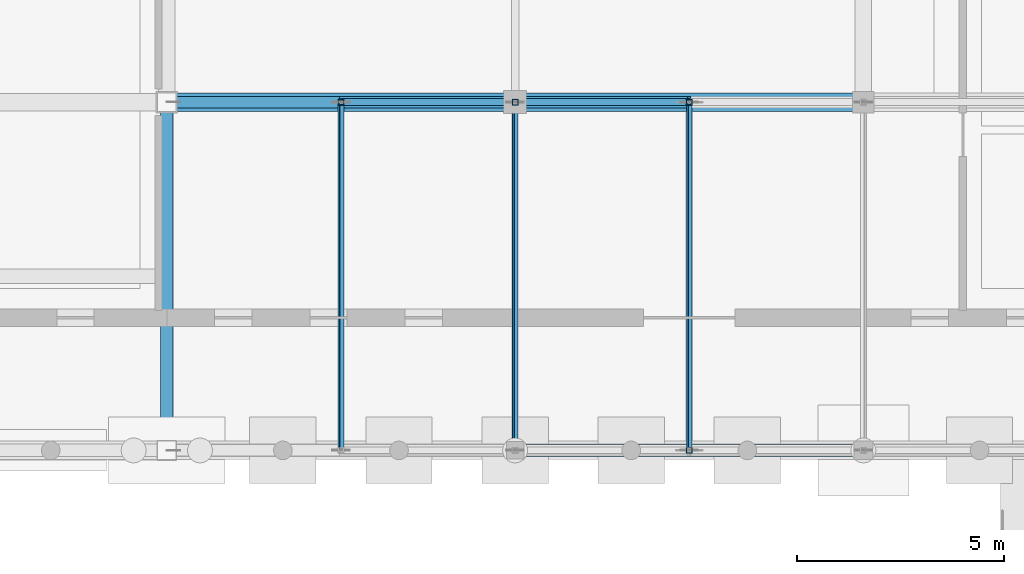
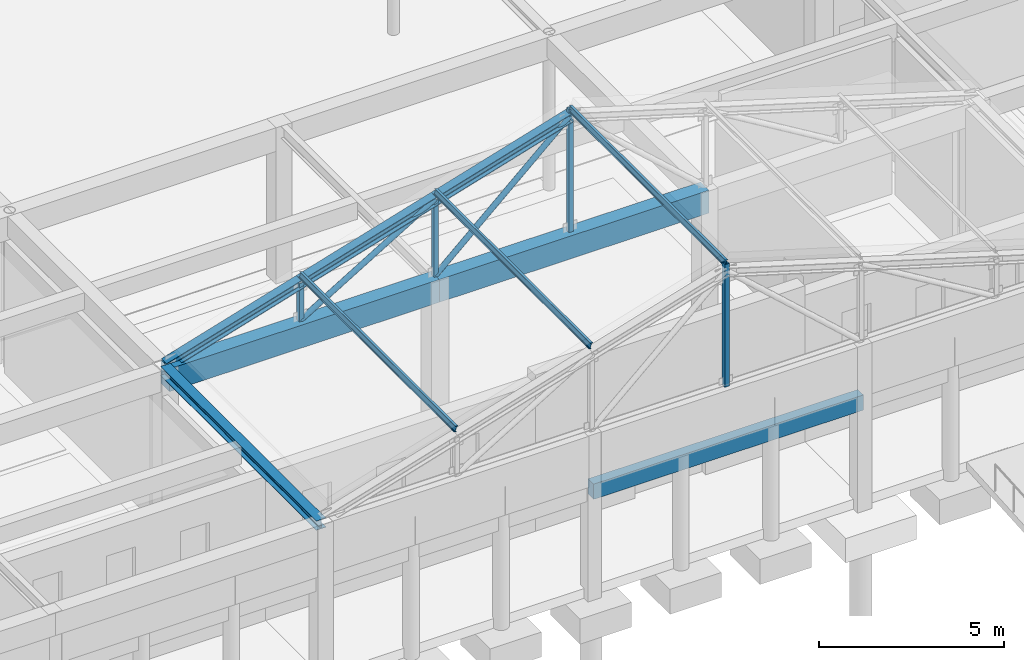
# One storey, part 24 of 143: 12 members, 4 beams.
"""IFC4 building model written with IfcOpenShell, lengths in metres."""

from ifc_helpers import new_model, si_unit, direction, frame, origin, origin_2d, place, context, subcontext, project, spatial, rectangle, hollow_rectangle, hollow_circle, i_section, extrude, material, material_profile, profile_set, type_object, element, save


model = new_model("IFC4")

# Units and contexts
model_context = context("Model", 3, precision=1e-05, world=origin(), true_north=direction((0.0, 1.0)))
body_context = subcontext(model_context, "Body", "Model", "MODEL_VIEW")
ifc_project = project(units=[si_unit("LENGTHUNIT", "METRE"), si_unit("AREAUNIT", "SQUARE_METRE"), si_unit("VOLUMEUNIT", "CUBIC_METRE"), si_unit("PLANEANGLEUNIT", "RADIAN"), si_unit("MASSUNIT", "GRAM", prefix="KILO")], contexts=[model_context])

# Site, building, storey
site_placement = place(None, origin())
site = spatial("IfcSite", under=ifc_project, at=site_placement, CompositionType="ELEMENT")
building_placement = place(site_placement, origin())
building = spatial("IfcBuilding", under=site, at=building_placement, Name="Kveldsbrygga Polytechnic", CompositionType="ELEMENT")
storey_placement = place(building_placement, origin())
storey = spatial("IfcBuildingStorey", under=building, at=storey_placement, Name="L00", CompositionType="ELEMENT", Elevation=0.0)

# Beams
ifc_material_1 = material(Name="Concrete C35/45", Category="concrete")
ifc_material_profile_1 = material_profile(ifc_material_1, rectangle(XDim=0.449951171875, YDim=0.75, at=origin_2d()), Name="RC 450x750")
ifc_profile_set_1 = profile_set([ifc_material_profile_1], Name="Concrete C35/45")
beam_type_1 = type_object("IfcBeamType", Name="BM-RC-450x750", PredefinedType="BEAM", material=ifc_profile_set_1)
beam_1_placement = place(storey_placement, frame((50.39990234375, 8.39990234375, 4.764892578125), z_axis=(1.0, 0.0, 0.0), x_axis=(0.0, 1.0, 0.0)))
element("IfcBeam", 1, at=beam_1_placement, inside=storey, type_object=beam_type_1, Name="Primary Beam BMX-L00-06to07-01", PredefinedType="BEAM", context=body_context, shape_type="SweptSolid", body=[
    extrude(rectangle(XDim=0.449951171875, YDim=0.75, at=origin_2d()), origin(), (0.0, 0.0, 1.0), 8.400146484375),
])
beam_2_placement = place(storey_placement, frame((58.800048828125, 8.39990234375, 4.764892578125), z_axis=(1.0, 0.0, 0.0), x_axis=(0.0, 1.0, 0.0)))
element("IfcBeam", 2, at=beam_2_placement, inside=storey, type_object=beam_type_1, Name="Primary Beam BMX-L00-07to08-01", PredefinedType="BEAM", context=body_context, shape_type="SweptSolid", body=[
    extrude(rectangle(XDim=0.449951171875, YDim=0.75, at=origin_2d()), origin(), (0.0, 0.0, 1.0), 8.39990234375),
])
ifc_material_2 = material(Name="Steel S355", Category="steel")
ifc_material_profile_2 = material_profile(ifc_material_2, i_section(OverallWidth=0.300048828125, OverallDepth=0.31005859375, WebThickness=0.009033203125, FlangeThickness=0.015380859375, FilletRadius=0.027099609375, at=origin_2d()), Name="HEA 320")
ifc_profile_set_2 = profile_set([ifc_material_profile_2], Name="Steel S355")
beam_type_2 = type_object("IfcBeamType", Name="BM-STL-HEA320", PredefinedType="BEAM", material=ifc_profile_set_2)
beam_3_placement = place(storey_placement, frame((50.39990234375, 0.0, 4.985107421875), z_axis=(0.0, 1.0, 0.0), x_axis=(-1.0, 0.0, 0.0)))
element("IfcBeam", 3, at=beam_3_placement, inside=storey, type_object=beam_type_2, Name="Primary Beam BMY-L00-06-00to01", PredefinedType="BEAM", context=body_context, shape_type="SweptSolid", body=[
    extrude(i_section(OverallWidth=0.300048828125, OverallDepth=0.31005859375, WebThickness=0.009033203125, FlangeThickness=0.015380859375, FilletRadius=0.027099609375, at=origin_2d()), origin(), (0.0, 0.0, 1.0), 8.39990234375),
])

# Members
ifc_material_profile_3 = material_profile(ifc_material_2, hollow_circle(Radius=0.084228515625, WallThickness=0.010009765625, at=origin_2d()), Name="CHS 168.3x10.0")
ifc_profile_set_3 = profile_set([ifc_material_profile_3], Name="Steel S355")
member_type_1 = type_object("IfcMemberType", Name="BR-WIND-CHS168", PredefinedType="BRACE", material=ifc_profile_set_3)
member_1_placement = place(storey_placement, frame((54.60009765625, 8.39990234375, 5.139892578125), z_axis=(0.856278379486, 0.0, 0.516514604658), x_axis=(0.0, 1.0, 0.0)))
element("IfcMember", 4, at=member_1_placement, inside=storey, type_object=member_type_1, Name="Truss Diagonal V5P-T02-DG-2", PredefinedType="BRACE", context=body_context, shape_type="SweptSolid", body=[
    extrude(hollow_circle(Radius=0.084228515625, WallThickness=0.010009765625, at=origin_2d()), origin(), (0.0, 0.0, 1.0), 4.90478515625),
])
member_2_placement = place(storey_placement, frame((58.800048828125, 8.39990234375, 5.139892578125), z_axis=(0.741527609628, 0.0, 0.670922353302), x_axis=(0.0, 1.0, 0.0)))
element("IfcMember", 5, at=member_2_placement, inside=storey, type_object=member_type_1, Name="Truss Diagonal V5P-T02-DG-3", PredefinedType="BRACE", context=body_context, shape_type="SweptSolid", body=[
    extrude(hollow_circle(Radius=0.084228515625, WallThickness=0.010009765625, at=origin_2d()), origin(), (0.0, 0.0, 1.0), 5.663818359375),
])

# Beam
ifc_material_profile_4 = material_profile(ifc_material_1, rectangle(XDim=0.300048828125, YDim=0.5, at=origin_2d()), Name="RC 300x500")
ifc_profile_set_4 = profile_set([ifc_material_profile_4], Name="Concrete C35/45")
beam_type_3 = type_object("IfcBeamType", Name="LNT-RC-300x500", PredefinedType="LINTEL", material=ifc_profile_set_4)
beam_4_placement = place(storey_placement, frame((58.800048828125, 0.0, 3.199951171875), z_axis=(1.0, 0.0, 0.0), x_axis=(0.0, 1.0, 0.0)))
element("IfcBeam", 6, at=beam_4_placement, inside=storey, type_object=beam_type_3, Name="Harbour Colonnade Arch Lintel Beam BM-PROM-HDR-07", PredefinedType="LINTEL", context=body_context, shape_type="SweptSolid", body=[
    extrude(rectangle(XDim=0.300048828125, YDim=0.5, at=origin_2d()), origin(), (0.0, 0.0, 1.0), 8.39990234375),
])

# Members
ifc_material_profile_5 = material_profile(ifc_material_2, i_section(OverallWidth=0.091064453125, OverallDepth=0.179931640625, WebThickness=0.00537109375, FlangeThickness=0.008056640625, FilletRadius=0.009033203125, at=origin_2d()), Name="IPE 180")
ifc_profile_set_5 = profile_set([ifc_material_profile_5], Name="Steel S355")
member_type_2 = type_object("IfcMemberType", Name="PRL-IPE180", PredefinedType="PURLIN", material=ifc_profile_set_5)
for number, where, z_axis, x_axis, name in (
    (7, (54.60009765625, 0.0, 6.64697265625), (0.0, 1.0, 0.0), (-0.957407228669, 0.0, 0.288741057857), "Roof Purlin V5P-PRL-1-1"),
    (8, (58.800048828125, 0.0, 7.91357421875), (0.0, 1.0, 0.0), (-0.957407228669, 0.0, 0.288741057857), "Roof Purlin V5P-PRL-1-2"),
    (9, (63.0, 0.0, 9.18017578125), (0.0, 1.0, 0.0), (-0.957407228669, 0.0, 0.288741057857), "Roof Purlin V5P-PRL-1-3"),
):
    element("IfcMember", number, at=place(storey_placement, frame(where, z_axis=z_axis, x_axis=x_axis)), inside=storey, type_object=member_type_2, Name=name, PredefinedType="PURLIN", context=body_context, shape_type="SweptSolid", body=[
        extrude(i_section(OverallWidth=0.091064453125, OverallDepth=0.179931640625, WebThickness=0.00537109375, FlangeThickness=0.008056640625, FilletRadius=0.009033203125, at=origin_2d()), origin(), (0.0, 0.0, 1.0), 8.39990234375),
    ])
ifc_material_profile_6 = material_profile(ifc_material_2, hollow_rectangle(XDim=0.139892578125, YDim=0.139892578125, WallThickness=0.008056640625, at=origin_2d()), Name="SHS 140x140x8.0")
ifc_profile_set_6 = profile_set([ifc_material_profile_6], Name="Steel S355")
member_type_3 = type_object("IfcMemberType", Name="TR-POST-SHS140", PredefinedType="STRUT", material=ifc_profile_set_6)
member_3_placement = place(storey_placement, frame((63.0, 0.0, 5.139892578125), z_axis=(0.0, 0.0, 1.0), x_axis=(1.0, 0.0, 0.0)))
element("IfcMember", 10, at=member_3_placement, inside=storey, type_object=member_type_3, Name="Truss Vertical V5P-T01-VT-3", PredefinedType="STRUT", context=body_context, shape_type="SweptSolid", body=[
    extrude(hollow_rectangle(XDim=0.139892578125, YDim=0.139892578125, WallThickness=0.008056640625, at=origin_2d()), origin(), (0.0, 0.0, 1.0), 4.040283203125),
])
member_4_placement = place(storey_placement, frame((54.60009765625, 8.39990234375, 5.139892578125), z_axis=(0.0, 0.0, 1.0), x_axis=(1.0, 0.0, 0.0)))
element("IfcMember", 11, at=member_4_placement, inside=storey, type_object=member_type_3, Name="Truss Vertical V5P-T02-VT-1", PredefinedType="STRUT", context=body_context, shape_type="SweptSolid", body=[
    extrude(hollow_rectangle(XDim=0.139892578125, YDim=0.139892578125, WallThickness=0.008056640625, at=origin_2d()), origin(), (0.0, 0.0, 1.0), 1.266845703125),
])
member_5_placement = place(storey_placement, frame((58.800048828125, 8.39990234375, 5.139892578125), z_axis=(0.0, 0.0, 1.0), x_axis=(1.0, 0.0, 0.0)))
element("IfcMember", 12, at=member_5_placement, inside=storey, type_object=member_type_3, Name="Truss Vertical V5P-T02-VT-2", PredefinedType="STRUT", context=body_context, shape_type="SweptSolid", body=[
    extrude(hollow_rectangle(XDim=0.139892578125, YDim=0.139892578125, WallThickness=0.008056640625, at=origin_2d()), origin(), (0.0, 0.0, 1.0), 2.533447265625),
])
member_6_placement = place(storey_placement, frame((63.0, 8.39990234375, 5.139892578125), z_axis=(0.0, 0.0, 1.0), x_axis=(1.0, 0.0, 0.0)))
element("IfcMember", 13, at=member_6_placement, inside=storey, type_object=member_type_3, Name="Truss Vertical V5P-T02-VT-3", PredefinedType="STRUT", context=body_context, shape_type="SweptSolid", body=[
    extrude(hollow_rectangle(XDim=0.139892578125, YDim=0.139892578125, WallThickness=0.008056640625, at=origin_2d()), origin(), (0.0, 0.0, 1.0), 4.040283203125),
])
ifc_material_profile_7 = material_profile(ifc_material_2, i_section(OverallWidth=0.280029296875, OverallDepth=0.280029296875, WebThickness=0.010498046875, FlangeThickness=0.01806640625, FilletRadius=0.02392578125, at=origin_2d()), Name="HEB 280")
ifc_profile_set_7 = profile_set([ifc_material_profile_7], Name="Steel S355")
member_type_4 = type_object("IfcMemberType", Name="TR-TOP-HEB280", PredefinedType="CHORD", material=ifc_profile_set_7)
member_7_placement = place(storey_placement, frame((50.39990234375, 8.39990234375, 5.139892578125), z_axis=(0.957399435953, 0.0, 0.288766895673), x_axis=(0.0, 1.0, 0.0)))
element("IfcMember", 14, at=member_7_placement, inside=storey, type_object=member_type_4, Name="Truss Top Chord V5P-T02-TC-1", PredefinedType="CHORD", context=body_context, shape_type="SweptSolid", body=[
    extrude(i_section(OverallWidth=0.280029296875, OverallDepth=0.280029296875, WebThickness=0.010498046875, FlangeThickness=0.01806640625, FilletRadius=0.02392578125, at=origin_2d()), origin(), (0.0, 0.0, 1.0), 4.38720703125),
])
for number, where, z_axis, x_axis, name in (
    (15, (54.60009765625, 8.39990234375, 6.40673828125), (0.957410180843, 0.0, 0.288731268861), (0.0, 1.0, 0.0), "Truss Top Chord V5P-T02-TC-2"),
    (16, (58.800048828125, 8.39990234375, 7.67333984375), (0.957410180843, 0.0, 0.288731268861), (0.0, 1.0, 0.0), "Truss Top Chord V5P-T02-TC-3"),
):
    element("IfcMember", number, at=place(storey_placement, frame(where, z_axis=z_axis, x_axis=x_axis)), inside=storey, type_object=member_type_4, Name=name, PredefinedType="CHORD", context=body_context, shape_type="SweptSolid", body=[
        extrude(i_section(OverallWidth=0.280029296875, OverallDepth=0.280029296875, WebThickness=0.010498046875, FlangeThickness=0.01806640625, FilletRadius=0.02392578125, at=origin_2d()), origin(), (0.0, 0.0, 1.0), 4.38671875),
    ])

save(model, "model.ifc")
